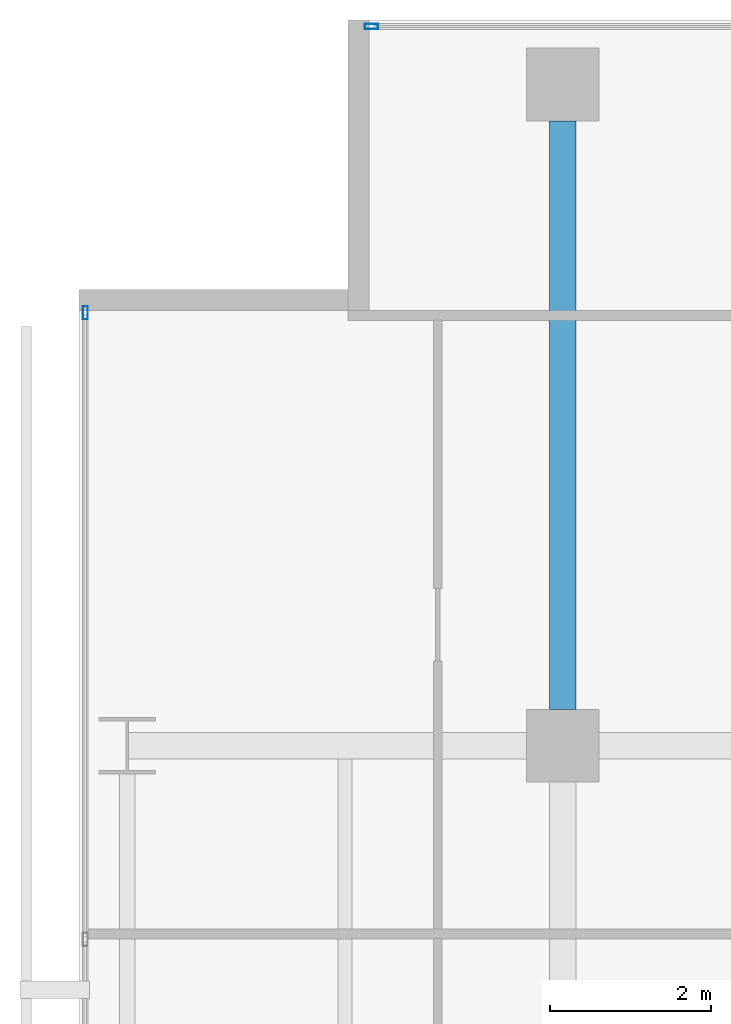
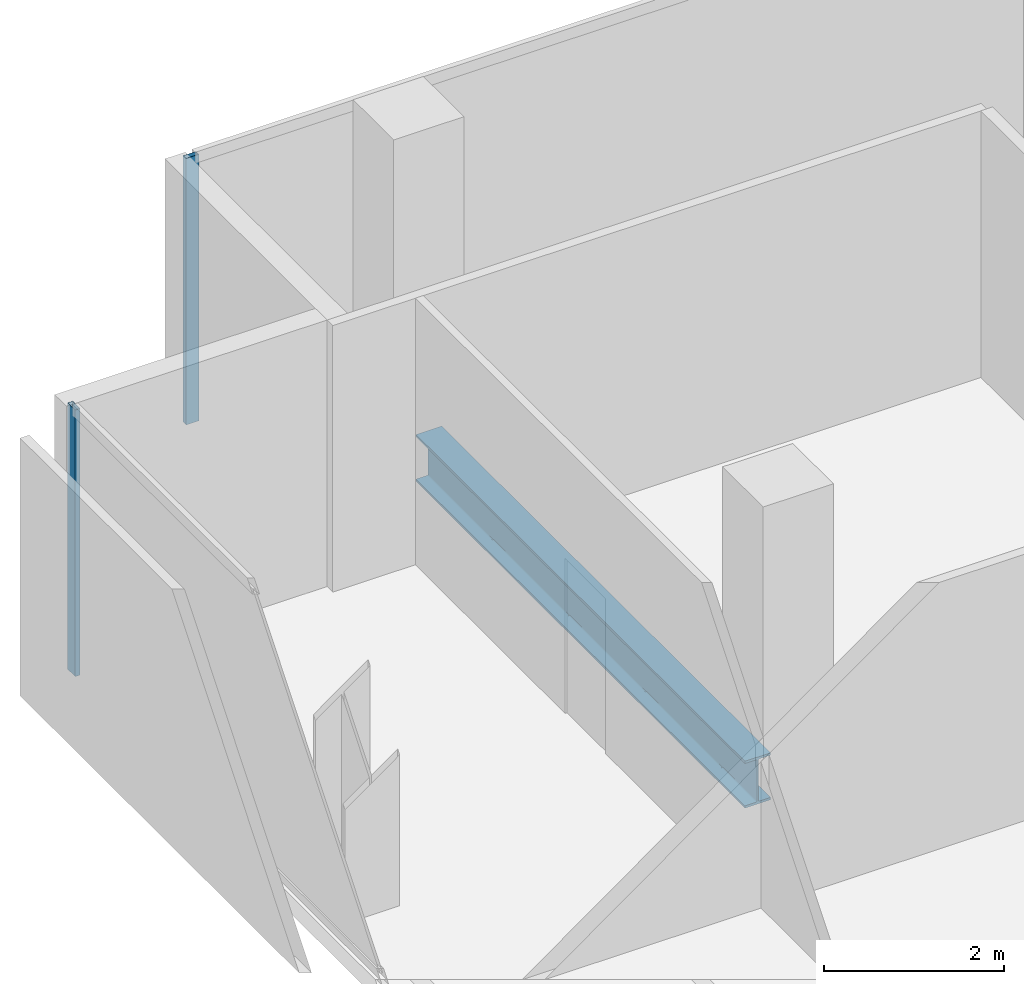
# One storey, part 25 of 40: 2 members, 1 beam, 2 elements without a shape of their own.
"""IFC4 building model written with IfcOpenShell, lengths in metres."""

from ifc_helpers import new_model, si_unit, direction, frame, origin, origin_2d, place, context, subcontext, project, spatial, hollow_rectangle, i_section, extrude, material, layer, layer_set, material_profile, profile_set, type_object, element, aggregate, save


model = new_model("IFC4")

# Units and contexts
model_context = context("Model", 3, precision=1e-05, world=origin(), true_north=direction((0.0, 1.0)))
body_context = subcontext(model_context, "Body", "Model", "MODEL_VIEW")
ifc_project = project(units=[si_unit("LENGTHUNIT", "METRE"), si_unit("AREAUNIT", "SQUARE_METRE"), si_unit("VOLUMEUNIT", "CUBIC_METRE"), si_unit("PLANEANGLEUNIT", "RADIAN"), si_unit("MASSUNIT", "GRAM", prefix="KILO")], contexts=[model_context])

# Site, building, storey
site_placement = place(None, origin())
site = spatial("IfcSite", under=ifc_project, at=site_placement, CompositionType="ELEMENT")
building_placement = place(site_placement, origin())
building = spatial("IfcBuilding", under=site, at=building_placement, Name="Maruvema Waterfront Hotel and Observation Tower", CompositionType="ELEMENT")
storey_placement = place(building_placement, frame((0.0, 0.0, 30.800048828125)))
storey = spatial("IfcBuildingStorey", under=building, at=storey_placement, Name="L06", CompositionType="ELEMENT", Elevation=30.800048828125)

# Curtain wall, member
ifc_material_1 = material(Name="Anodised bronze aluminium and solar-control low-E IGU", Category="aluminium")
ifc_layer = layer(ifc_material_1, 0.159912109375, Name="Zone 1 Bronze Inner Thermal Curtain Wall System CW-02")
ifc_layer_set = layer_set([ifc_layer], Name="Anodised bronze aluminium and solar-control low-E IGU")
curtain_wall_type = type_object("IfcCurtainWallType", Name="Zone 1 Bronze Inner Thermal Curtain Wall System CW-02", PredefinedType="USERDEFINED", material=ifc_layer_set)
curtain_wall_1_placement = place(storey_placement, origin())
curtain_wall_1 = element("IfcCurtainWall", 1, at=curtain_wall_1_placement, inside=storey, type_object=curtain_wall_type, Name="L06 Curtain Wall CW-L06-W", ObjectType="UNITISED CURTAIN WALL", PredefinedType="USERDEFINED")
ifc_material_2 = material(Name="Anodised architectural bronze aluminium", Category="aluminium")
ifc_material_profile_1 = material_profile(ifc_material_2, hollow_rectangle(XDim=0.06494140625, YDim=0.1650390625, WallThickness=0.00390625, at=origin_2d()), Name="ALU-M65x165")
ifc_profile_set_1 = profile_set([ifc_material_profile_1], Name="Anodised architectural bronze aluminium")
member_type = type_object("IfcMemberType", Name="Curtain Wall Primary Mullion ALU-M65x165", PredefinedType="MULLION", material=ifc_profile_set_1)
member_1_placement = place(storey_placement, frame((10.8798828125, 50.3701171875, 0.0), z_axis=(0.0, 0.0, 1.0), x_axis=(1.0, 0.0, 0.0)))
member_1 = element("IfcMember", 2, at=member_1_placement, type_object=member_type, Name="CW-02 mullion 1", PredefinedType="MULLION", context=body_context, shape_type="SweptSolid", body=[
    extrude(hollow_rectangle(XDim=0.06494140625, YDim=0.1650390625, WallThickness=0.00390625, at=origin_2d()), origin(), (0.0, 0.0, 1.0), 3.60986328125),
])
aggregate(curtain_wall_1, [member_1])

curtain_wall_2_placement = place(storey_placement, origin())
curtain_wall_2 = element("IfcCurtainWall", 3, at=curtain_wall_2_placement, inside=storey, type_object=curtain_wall_type, Name="L06 Curtain Wall CW-L06-NW", ObjectType="UNITISED CURTAIN WALL", PredefinedType="USERDEFINED")
member_2_placement = place(storey_placement, frame((14.429931640625, 53.919921875, 0.0), z_axis=(0.0, 0.0, 1.0), x_axis=(0.0, -1.0, 0.0)))
member_2 = element("IfcMember", 4, at=member_2_placement, type_object=member_type, Name="CW-02 mullion 2", PredefinedType="MULLION", context=body_context, shape_type="SweptSolid", body=[
    extrude(hollow_rectangle(XDim=0.06494140625, YDim=0.1650390625, WallThickness=0.00390625, at=origin_2d()), origin(), (0.0, 0.0, 1.0), 3.60986328125),
])
aggregate(curtain_wall_2, [member_2])

# Beam
ifc_material_3 = material(Name="Steel ASTM A572 Grade 50", Category="steel")
ifc_material_profile_2 = material_profile(ifc_material_3, i_section(OverallWidth=0.3291015625, OverallDepth=0.635009765625, WebThickness=0.017822265625, FlangeThickness=0.031005859375, FilletRadius=0.01806640625, at=origin_2d()), Name="W610x241.0")
ifc_profile_set_2 = profile_set([ifc_material_profile_2], Name="Steel ASTM A572 Grade 50")
beam_type = type_object("IfcBeamType", Name="Primary Floor Girder W610x241.0", PredefinedType="BEAM", material=ifc_profile_set_2)
beam_placement = place(storey_placement, frame((16.800048828125, 45.449951171875, -0.5576171875), z_axis=(0.0, 1.0, 0.0), x_axis=(-1.0, 0.0, 0.0)))
element("IfcBeam", 5, at=beam_placement, inside=storey, type_object=beam_type, Name="L06 Floor Girder NS-10", PredefinedType="BEAM", context=body_context, shape_type="SweptSolid", body=[
    extrude(i_section(OverallWidth=0.3291015625, OverallDepth=0.635009765625, WebThickness=0.017822265625, FlangeThickness=0.031005859375, FilletRadius=0.01806640625, at=origin_2d()), origin(), (0.0, 0.0, 1.0), 7.300048828125),
])

save(model, "model.ifc")
